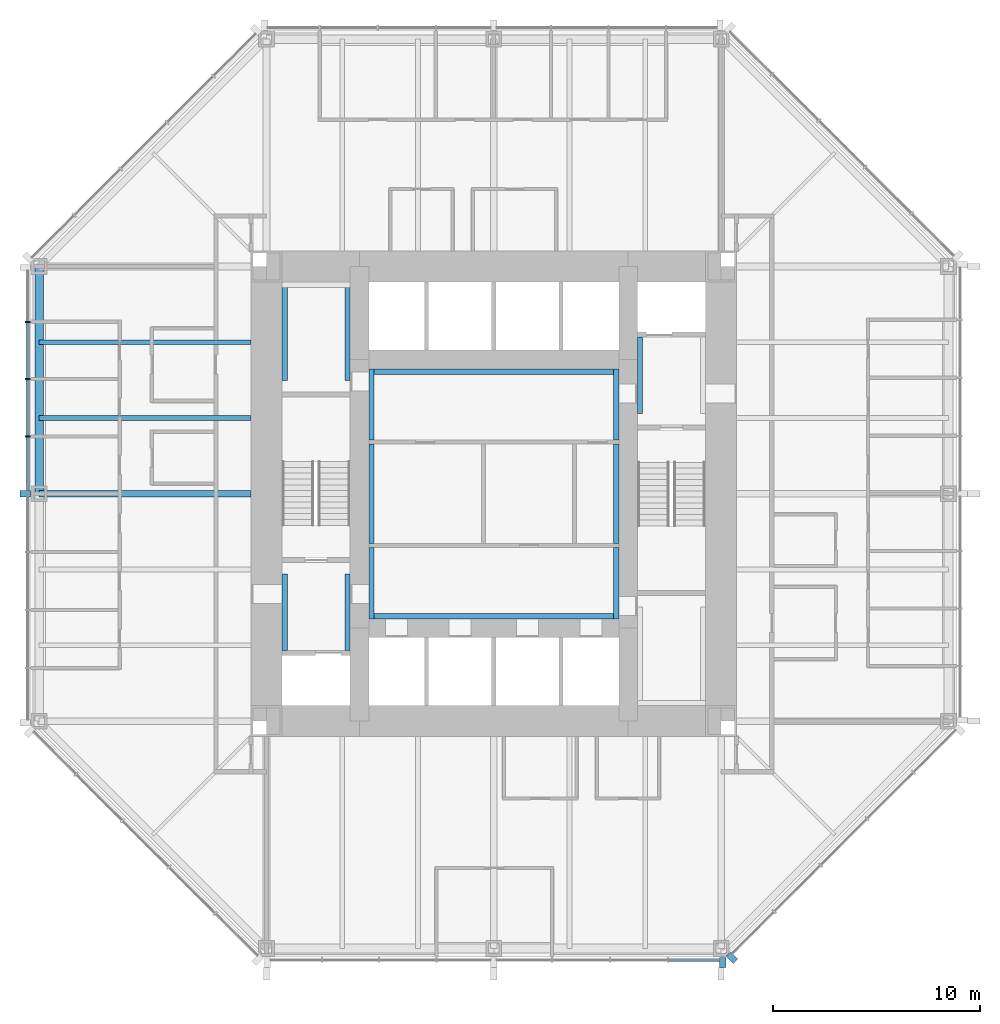
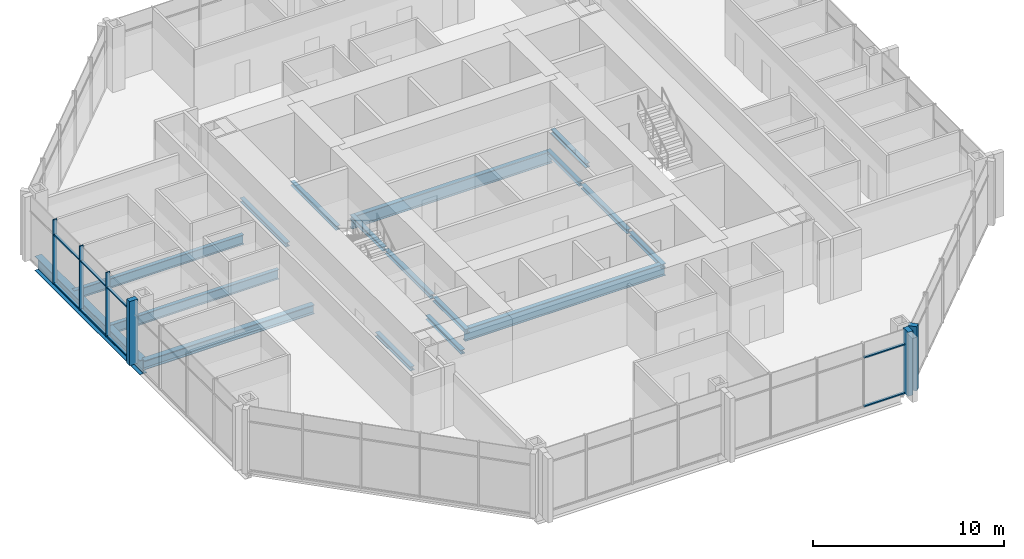
# One storey, part 3 of 14: 17 beams, 14 members, 3 elements without a shape of their own.
"""IFC4 building model written with IfcOpenShell, lengths in metres."""

from ifc_helpers import new_model, si_unit, direction, frame, origin, origin_2d, place, context, subcontext, project, spatial, rectangle, i_section, extrude, material, material_profile, profile_set, type_object, element, aggregate, save


model = new_model("IFC4")

# Units and contexts
model_context = context("Model", 3, precision=1e-05, world=origin(), true_north=direction((0.0, 1.0)))
body_context = subcontext(model_context, "Body", "Model", "MODEL_VIEW")
ifc_project = project(units=[si_unit("LENGTHUNIT", "METRE"), si_unit("AREAUNIT", "SQUARE_METRE"), si_unit("VOLUMEUNIT", "CUBIC_METRE"), si_unit("PLANEANGLEUNIT", "RADIAN"), si_unit("MASSUNIT", "GRAM", prefix="KILO")], contexts=[model_context])

# Site, building, storey
site_placement = place(None, origin())
site = spatial("IfcSite", under=ifc_project, at=site_placement, CompositionType="ELEMENT")
building_placement = place(site_placement, origin())
building = spatial("IfcBuilding", under=site, at=building_placement, Name="Trevanion Tower", CompositionType="ELEMENT")
storey_placement = place(building_placement, frame((0.0, 0.0, 100.800048828125)))
storey = spatial("IfcBuildingStorey", under=building, at=storey_placement, Name="L23", CompositionType="ELEMENT", Elevation=100.800048828125)

# Beams
ifc_material_1 = material(Name="Steel ASTM A992 Grade 50", Category="steel")
ifc_material_profile_1 = material_profile(ifc_material_1, i_section(OverallWidth=0.22900390625, OverallDepth=0.612060546875, WebThickness=0.011962890625, FlangeThickness=0.01953125, at=origin_2d()), Name="W24X84")
ifc_profile_set_1 = profile_set([ifc_material_profile_1], Name="Steel ASTM A992 Grade 50")
beam_type_1 = type_object("IfcBeamType", Name="B7 W24X84", PredefinedType="BEAM", material=ifc_profile_set_1)
for number, where, z_axis, x_axis, name in (
    (1, (-11.75, 7.333251953125, -0.49609375), (-1.0, 0.0, 0.0), (0.0, -1.0, 0.0), "B7 L23"),
    (2, (-11.75, 3.666748046875, -0.49609375), (-1.0, 0.0, 0.0), (0.0, -1.0, 0.0), "B7 L23"),
):
    element("IfcBeam", number, at=place(storey_placement, frame(where, z_axis=z_axis, x_axis=x_axis)), inside=storey, type_object=beam_type_1, Name=name, PredefinedType="BEAM", context=body_context, shape_type="SweptSolid", body=[
        extrude(i_section(OverallWidth=0.22900390625, OverallDepth=0.612060546875, WebThickness=0.011962890625, FlangeThickness=0.01953125, at=origin_2d()), origin(), (0.0, 0.0, 1.0), 10.25),
    ])

# Curtain wall, members
ifc_material_2 = material(Name="Aluminium and glass", Category="aluminium")
curtain_wall_type = type_object("IfcCurtainWallType", Name="CW2 curtain wall", PredefinedType="USERDEFINED", material=ifc_material_2)
curtain_wall_1_placement = place(storey_placement, origin())
curtain_wall_1 = element("IfcCurtainWall", 3, at=curtain_wall_1_placement, inside=storey, type_object=curtain_wall_type, Name="CW2 L23 4", ObjectType="UNITISED CURTAIN WALL", PredefinedType="USERDEFINED")
ifc_material_3 = material(Name="Aluminium extrusion, anodised bronze", Category="aluminium")
ifc_material_profile_2 = material_profile(ifc_material_3, rectangle(XDim=0.074951171875, YDim=0.25, at=origin_2d()), Name="CW2 mullion")
ifc_profile_set_2 = profile_set([ifc_material_profile_2], Name="Aluminium extrusion, anodised bronze")
member_type_1 = type_object("IfcMemberType", Name="CW2 mullion", PredefinedType="MULLION", material=ifc_profile_set_2)
member_1_placement = place(storey_placement, frame((-22.550048828125, 8.323486328125, -0.18994140625), z_axis=(0.0, 0.0, 1.0), x_axis=(0.0, -1.0, 0.0)))
member_1 = element("IfcMember", 4, at=member_1_placement, type_object=member_type_1, Name="CW2 mullion 2", PredefinedType="MULLION", context=body_context, shape_type="SweptSolid", body=[
    extrude(rectangle(XDim=0.074951171875, YDim=0.25, at=origin_2d()), origin(), (0.0, 0.0, 1.0), 4.099853515625),
])
member_2_placement = place(storey_placement, frame((-22.550048828125, 5.548828125, -0.18994140625), z_axis=(0.0, 0.0, 1.0), x_axis=(0.0, -1.0, 0.0)))
member_2 = element("IfcMember", 5, at=member_2_placement, type_object=member_type_1, Name="CW2 mullion 3", PredefinedType="MULLION", context=body_context, shape_type="SweptSolid", body=[
    extrude(rectangle(XDim=0.074951171875, YDim=0.25, at=origin_2d()), origin(), (0.0, 0.0, 1.0), 4.099853515625),
])
member_3_placement = place(storey_placement, frame((-22.550048828125, 2.7744140625, -0.18994140625), z_axis=(0.0, 0.0, 1.0), x_axis=(0.0, -1.0, 0.0)))
member_3 = element("IfcMember", 6, at=member_3_placement, type_object=member_type_1, Name="CW2 mullion 4", PredefinedType="MULLION", context=body_context, shape_type="SweptSolid", body=[
    extrude(rectangle(XDim=0.074951171875, YDim=0.25, at=origin_2d()), origin(), (0.0, 0.0, 1.0), 4.099853515625),
])
ifc_material_4 = material(Name="Aluminium extrusion, anodised bronze", Category="aluminium")
ifc_material_profile_3 = material_profile(ifc_material_4, rectangle(XDim=0.300048828125, YDim=0.5, at=origin_2d()), Name="CW2 pier mullion")
ifc_profile_set_3 = profile_set([ifc_material_profile_3], Name="Aluminium extrusion, anodised bronze")
member_type_2 = type_object("IfcMemberType", Name="CW2 pier mullion", PredefinedType="MULLION", material=ifc_profile_set_3)
member_4_placement = place(storey_placement, frame((-22.675048828125, 0.0, -0.18994140625), z_axis=(0.0, 0.0, 1.0), x_axis=(0.0, -1.0, 0.0)))
member_4 = element("IfcMember", 7, at=member_4_placement, type_object=member_type_2, Name="CW2 pier mullion 5", PredefinedType="MULLION", context=body_context, shape_type="SweptSolid", body=[
    extrude(rectangle(XDim=0.300048828125, YDim=0.5, at=origin_2d()), origin(), (0.0, 0.0, 1.0), 4.099853515625),
])

# Curtain wall, member
curtain_wall_2_placement = place(storey_placement, origin())
curtain_wall_2 = element("IfcCurtainWall", 8, at=curtain_wall_2_placement, inside=storey, type_object=curtain_wall_type, Name="CW2 L23 6", ObjectType="UNITISED CURTAIN WALL", PredefinedType="USERDEFINED")
member_5_placement = place(storey_placement, frame((11.077880859375, -22.675048828125, -0.18994140625), z_axis=(0.0, 0.0, 1.0), x_axis=(1.0, 0.0, 0.0)))
member_5 = element("IfcMember", 9, at=member_5_placement, type_object=member_type_2, Name="CW2 pier mullion 9", PredefinedType="MULLION", context=body_context, shape_type="SweptSolid", body=[
    extrude(rectangle(XDim=0.300048828125, YDim=0.5, at=origin_2d()), origin(), (0.0, 0.0, 1.0), 4.099853515625),
])

curtain_wall_3_placement = place(storey_placement, origin())
curtain_wall_3 = element("IfcCurtainWall", 10, at=curtain_wall_3_placement, inside=storey, type_object=curtain_wall_type, Name="CW2 L23 7", ObjectType="UNITISED CURTAIN WALL", PredefinedType="USERDEFINED")
member_6_placement = place(storey_placement, frame((11.51416015625, -22.4404296875, -0.18994140625), z_axis=(0.0, 0.0, 1.0), x_axis=(0.707106781187, 0.707106781187, 0.0)))
member_6 = element("IfcMember", 11, at=member_6_placement, type_object=member_type_2, Name="CW2 pier mullion 1", PredefinedType="MULLION", context=body_context, shape_type="SweptSolid", body=[
    extrude(rectangle(XDim=0.300048828125, YDim=0.5, at=origin_2d()), origin(), (0.0, 0.0, 1.0), 4.099853515625),
])
aggregate(curtain_wall_3, [member_6])

# Member
ifc_material_5 = material(Name="Aluminium extrusion, anodised bronze", Category="aluminium")
ifc_material_profile_4 = material_profile(ifc_material_5, rectangle(XDim=0.14990234375, YDim=0.074951171875, at=origin_2d()), Name="CW2 transom")
ifc_profile_set_4 = profile_set([ifc_material_profile_4], Name="Aluminium extrusion, anodised bronze")
member_type_3 = type_object("IfcMemberType", Name="CW2 transom", PredefinedType="USERDEFINED", material=ifc_profile_set_4)
member_7_placement = place(storey_placement, frame((-22.550048828125, 8.285888671875, -0.152587890625), z_axis=(0.0, -1.0, 0.0), x_axis=(1.0, 0.0, 0.0)))
member_7 = element("IfcMember", 12, at=member_7_placement, type_object=member_type_3, Name="CW2 transom 2.1", ObjectType="TRANSOM", PredefinedType="USERDEFINED", context=body_context, shape_type="SweptSolid", body=[
    extrude(rectangle(XDim=0.14990234375, YDim=0.074951171875, at=origin_2d()), origin(), (0.0, 0.0, 1.0), 2.699462890625),
])

member_8_placement = place(storey_placement, frame((-22.550048828125, 8.285888671875, 2.9599609375), z_axis=(0.0, -1.0, 0.0), x_axis=(1.0, 0.0, 0.0)))
member_8 = element("IfcMember", 13, at=member_8_placement, type_object=member_type_3, Name="CW2 transom 2.2", ObjectType="TRANSOM", PredefinedType="USERDEFINED", context=body_context, shape_type="SweptSolid", body=[
    extrude(rectangle(XDim=0.14990234375, YDim=0.074951171875, at=origin_2d()), origin(), (0.0, 0.0, 1.0), 2.699462890625),
])

member_9_placement = place(storey_placement, frame((-22.550048828125, 5.511474609375, -0.152587890625), z_axis=(0.0, -1.0, 0.0), x_axis=(1.0, 0.0, 0.0)))
member_9 = element("IfcMember", 14, at=member_9_placement, type_object=member_type_3, Name="CW2 transom 3.1", ObjectType="TRANSOM", PredefinedType="USERDEFINED", context=body_context, shape_type="SweptSolid", body=[
    extrude(rectangle(XDim=0.14990234375, YDim=0.074951171875, at=origin_2d()), origin(), (0.0, 0.0, 1.0), 2.699462890625),
])

member_10_placement = place(storey_placement, frame((-22.550048828125, 5.511474609375, 2.9599609375), z_axis=(0.0, -1.0, 0.0), x_axis=(1.0, 0.0, 0.0)))
member_10 = element("IfcMember", 15, at=member_10_placement, type_object=member_type_3, Name="CW2 transom 3.2", ObjectType="TRANSOM", PredefinedType="USERDEFINED", context=body_context, shape_type="SweptSolid", body=[
    extrude(rectangle(XDim=0.14990234375, YDim=0.074951171875, at=origin_2d()), origin(), (0.0, 0.0, 1.0), 2.699462890625),
])

member_11_placement = place(storey_placement, frame((-22.550048828125, 2.737060546875, -0.152587890625), z_axis=(0.0, -1.0, 0.0), x_axis=(1.0, 0.0, 0.0)))
member_11 = element("IfcMember", 16, at=member_11_placement, type_object=member_type_3, Name="CW2 transom 4.1", ObjectType="TRANSOM", PredefinedType="USERDEFINED", context=body_context, shape_type="SweptSolid", body=[
    extrude(rectangle(XDim=0.14990234375, YDim=0.074951171875, at=origin_2d()), origin(), (0.0, 0.0, 1.0), 2.587158203125),
])

member_12_placement = place(storey_placement, frame((-22.550048828125, 2.737060546875, 2.9599609375), z_axis=(0.0, -1.0, 0.0), x_axis=(1.0, 0.0, 0.0)))
member_12 = element("IfcMember", 17, at=member_12_placement, type_object=member_type_3, Name="CW2 transom 4.2", ObjectType="TRANSOM", PredefinedType="USERDEFINED", context=body_context, shape_type="SweptSolid", body=[
    extrude(rectangle(XDim=0.14990234375, YDim=0.074951171875, at=origin_2d()), origin(), (0.0, 0.0, 1.0), 2.587158203125),
])

aggregate(curtain_wall_1, [member_1, member_2, member_3, member_4, member_7, member_8, member_9, member_10, member_11, member_12])

member_13_placement = place(storey_placement, frame((8.45849609375, -22.550048828125, -0.152587890625), z_axis=(1.0, 0.0, 0.0), x_axis=(0.0, 1.0, 0.0)))
member_13 = element("IfcMember", 18, at=member_13_placement, type_object=member_type_3, Name="CW2 transom 8.1", ObjectType="TRANSOM", PredefinedType="USERDEFINED", context=body_context, shape_type="SweptSolid", body=[
    extrude(rectangle(XDim=0.14990234375, YDim=0.074951171875, at=origin_2d()), origin(), (0.0, 0.0, 1.0), 2.46923828125),
])

member_14_placement = place(storey_placement, frame((8.45849609375, -22.550048828125, 2.9599609375), z_axis=(1.0, 0.0, 0.0), x_axis=(0.0, 1.0, 0.0)))
member_14 = element("IfcMember", 19, at=member_14_placement, type_object=member_type_3, Name="CW2 transom 8.2", ObjectType="TRANSOM", PredefinedType="USERDEFINED", context=body_context, shape_type="SweptSolid", body=[
    extrude(rectangle(XDim=0.14990234375, YDim=0.074951171875, at=origin_2d()), origin(), (0.0, 0.0, 1.0), 2.46923828125),
])

aggregate(curtain_wall_2, [member_5, member_13, member_14])

# Beams
ifc_material_6 = material(Name="Steel ASTM A992 Grade 50", Category="steel")
ifc_material_profile_5 = material_profile(ifc_material_6, i_section(OverallWidth=0.320068359375, OverallDepth=0.584228515625, WebThickness=0.023193359375, FlangeThickness=0.04150390625, at=origin_2d()), Name="W21X201")
ifc_profile_set_5 = profile_set([ifc_material_profile_5], Name="Steel ASTM A992 Grade 50")
beam_type_2 = type_object("IfcBeamType", Name="G4 W21X201", PredefinedType="BEAM", material=ifc_profile_set_5)
beam_1_placement = place(storey_placement, frame((-11.75, 0.0, -0.482177734375), z_axis=(-1.0, 0.0, 0.0), x_axis=(0.0, -1.0, 0.0)))
element("IfcBeam", 20, at=beam_1_placement, inside=storey, type_object=beam_type_2, Name="G4 L23", PredefinedType="BEAM", context=body_context, shape_type="SweptSolid", body=[
    extrude(i_section(OverallWidth=0.320068359375, OverallDepth=0.584228515625, WebThickness=0.023193359375, FlangeThickness=0.04150390625, at=origin_2d()), origin(), (0.0, 0.0, 1.0), 10.25),
])
ifc_material_7 = material(Name="Steel ASTM A992 Grade 50", Category="steel")
ifc_material_profile_6 = material_profile(ifc_material_7, i_section(OverallWidth=0.256591796875, OverallDepth=0.26416015625, WebThickness=0.011962890625, FlangeThickness=0.01953125, at=origin_2d()), Name="W10X68")
ifc_profile_set_6 = profile_set([ifc_material_profile_6], Name="Steel ASTM A992 Grade 50")
beam_type_3 = type_object("IfcBeamType", Name="LB1 W10X68", PredefinedType="BEAM", material=ifc_profile_set_6)
for number, where, z_axis, x_axis, name in (
    (21, (-5.921630859375, 2.60009765625, -0.33203125), (0.0, 1.0, 0.0), (-1.0, 0.0, 0.0), "LB1 L23"),
    (22, (5.921630859375, 2.60009765625, -0.33203125), (0.0, 1.0, 0.0), (-1.0, 0.0, 0.0), "LB1 L23"),
    (23, (-5.921630859375, -6.050048828125, -0.33203125), (0.0, 1.0, 0.0), (-1.0, 0.0, 0.0), "LB1 L23"),
    (24, (5.921630859375, -6.050048828125, -0.33203125), (0.0, 1.0, 0.0), (-1.0, 0.0, 0.0), "LB1 L23"),
):
    element("IfcBeam", number, at=place(storey_placement, frame(where, z_axis=z_axis, x_axis=x_axis)), inside=storey, type_object=beam_type_3, Name=name, PredefinedType="BEAM", context=body_context, shape_type="SweptSolid", body=[
        extrude(i_section(OverallWidth=0.256591796875, OverallDepth=0.26416015625, WebThickness=0.011962890625, FlangeThickness=0.01953125, at=origin_2d()), origin(), (0.0, 0.0, 1.0), 3.449951171875),
    ])
for number, where, z_axis, x_axis, name in (
    (25, (7.078369140625, 3.875, -0.33203125), (0.0, 1.0, 0.0), (-1.0, 0.0, 0.0), "LB1 L23"),
    (26, (-10.12158203125, -7.574951171875, -0.33203125), (0.0, 1.0, 0.0), (-1.0, 0.0, 0.0), "LB1 L23"),
    (27, (-7.078369140625, -7.574951171875, -0.33203125), (0.0, 1.0, 0.0), (-1.0, 0.0, 0.0), "LB1 L23"),
):
    element("IfcBeam", number, at=place(storey_placement, frame(where, z_axis=z_axis, x_axis=x_axis)), inside=storey, type_object=beam_type_3, Name=name, PredefinedType="BEAM", context=body_context, shape_type="SweptSolid", body=[
        extrude(i_section(OverallWidth=0.256591796875, OverallDepth=0.26416015625, WebThickness=0.011962890625, FlangeThickness=0.01953125, at=origin_2d()), origin(), (0.0, 0.0, 1.0), 3.699951171875),
    ])
for number, where, z_axis, x_axis, name in (
    (28, (-10.12158203125, 5.47509765625, -0.33203125), (0.0, 1.0, 0.0), (-1.0, 0.0, 0.0), "LB1 L23"),
    (29, (-7.078369140625, 5.47509765625, -0.33203125), (0.0, 1.0, 0.0), (-1.0, 0.0, 0.0), "LB1 L23"),
):
    element("IfcBeam", number, at=place(storey_placement, frame(where, z_axis=z_axis, x_axis=x_axis)), inside=storey, type_object=beam_type_3, Name=name, PredefinedType="BEAM", context=body_context, shape_type="SweptSolid", body=[
        extrude(i_section(OverallWidth=0.256591796875, OverallDepth=0.26416015625, WebThickness=0.011962890625, FlangeThickness=0.01953125, at=origin_2d()), origin(), (0.0, 0.0, 1.0), 4.77490234375),
    ])
for number, where, z_axis, x_axis, name in (
    (30, (-5.921630859375, -2.39990234375, -0.33203125), (0.0, 1.0, 0.0), (-1.0, 0.0, 0.0), "LB1 L23"),
    (31, (5.921630859375, -2.39990234375, -0.33203125), (0.0, 1.0, 0.0), (-1.0, 0.0, 0.0), "LB1 L23"),
):
    element("IfcBeam", number, at=place(storey_placement, frame(where, z_axis=z_axis, x_axis=x_axis)), inside=storey, type_object=beam_type_3, Name=name, PredefinedType="BEAM", context=body_context, shape_type="SweptSolid", body=[
        extrude(i_section(OverallWidth=0.256591796875, OverallDepth=0.26416015625, WebThickness=0.011962890625, FlangeThickness=0.01953125, at=origin_2d()), origin(), (0.0, 0.0, 1.0), 4.7998046875),
    ])
ifc_material_8 = material(Name="Steel ASTM A992 Grade 50", Category="steel")
ifc_material_profile_7 = material_profile(ifc_material_8, i_section(OverallWidth=0.2666015625, OverallDepth=0.76953125, WebThickness=0.015625, FlangeThickness=0.025390625, at=origin_2d()), Name="W30X132")
ifc_profile_set_7 = profile_set([ifc_material_profile_7], Name="Steel ASTM A992 Grade 50")
beam_type_4 = type_object("IfcBeamType", Name="LB3 W30X132", PredefinedType="BEAM", material=ifc_profile_set_7)
for number, where, z_axis, x_axis, name in (
    (32, (-6.050048828125, 5.91650390625, -0.5849609375), (1.0, 0.0, 0.0), (0.0, 1.0, 0.0), "LB3 L23"),
    (33, (-6.050048828125, -5.91650390625, -0.5849609375), (1.0, 0.0, 0.0), (0.0, 1.0, 0.0), "LB3 L23"),
):
    element("IfcBeam", number, at=place(storey_placement, frame(where, z_axis=z_axis, x_axis=x_axis)), inside=storey, type_object=beam_type_4, Name=name, PredefinedType="BEAM", context=body_context, shape_type="SweptSolid", body=[
        extrude(i_section(OverallWidth=0.2666015625, OverallDepth=0.76953125, WebThickness=0.015625, FlangeThickness=0.025390625, at=origin_2d()), origin(), (0.0, 0.0, 1.0), 12.10009765625),
    ])
ifc_material_9 = material(Name="Steel ASTM A992 Grade 50", Category="steel")
ifc_material_profile_8 = material_profile(ifc_material_9, i_section(OverallWidth=0.419189453125, OverallDepth=0.927001953125, WebThickness=0.019287109375, FlangeThickness=0.031982421875, at=origin_2d()), Name="W36X231")
ifc_profile_set_8 = profile_set([ifc_material_profile_8], Name="Steel ASTM A992 Grade 50")
beam_type_5 = type_object("IfcBeamType", Name="SB4 W36X231", PredefinedType="SPANDREL", material=ifc_profile_set_8)
beam_2_placement = place(storey_placement, frame((-22.0, 11.0, -0.653564453125), z_axis=(0.0, -1.0, 0.0), x_axis=(1.0, 0.0, 0.0)))
element("IfcBeam", 34, at=beam_2_placement, inside=storey, type_object=beam_type_5, Name="SB4 L23", PredefinedType="SPANDREL", context=body_context, shape_type="SweptSolid", body=[
    extrude(i_section(OverallWidth=0.419189453125, OverallDepth=0.927001953125, WebThickness=0.019287109375, FlangeThickness=0.031982421875, at=origin_2d()), origin(), (0.0, 0.0, 1.0), 11.0),
])

save(model, "model.ifc")
